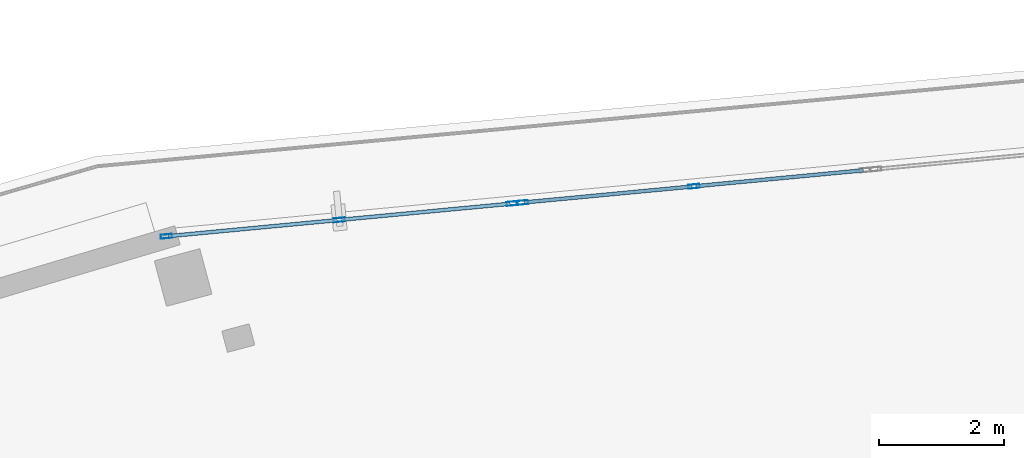
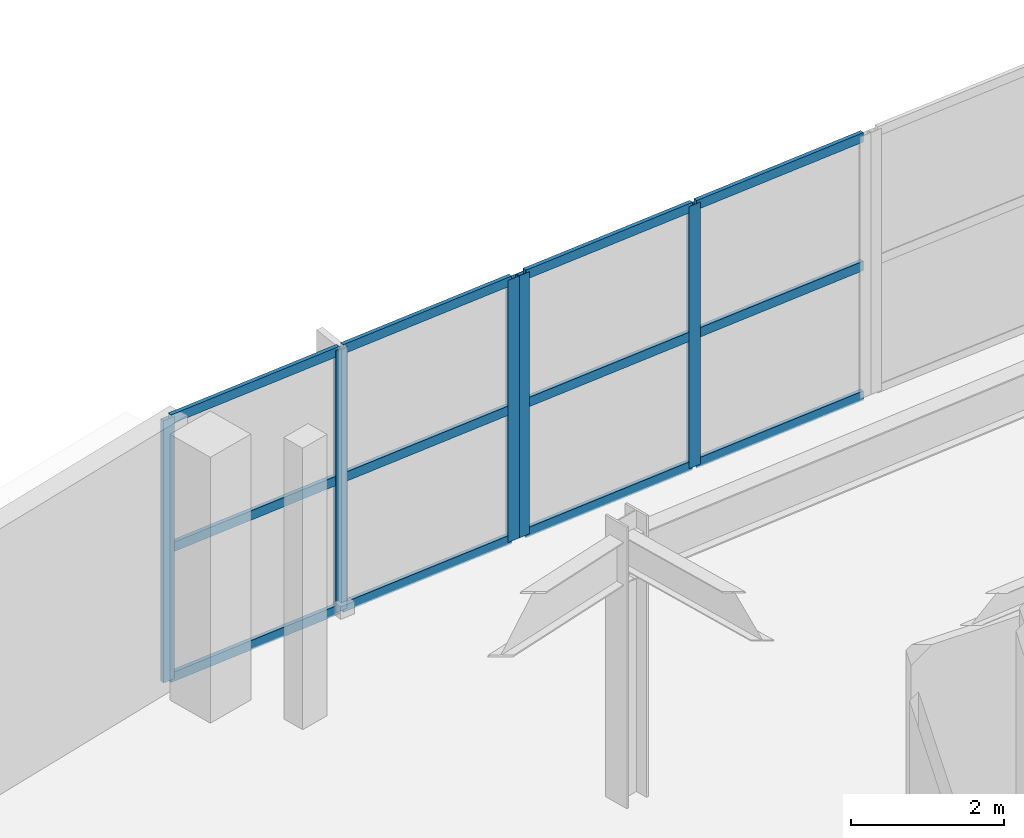
# One storey, part 34 of 107: 17 members, 2 elements without a shape of their own.
"""IFC4 building model written with IfcOpenShell, lengths in metres."""

from ifc_helpers import new_model, si_unit, direction, frame, origin, origin_2d, place, context, subcontext, project, spatial, hollow_rectangle, extrude, material, layer, layer_set, material_profile, profile_set, type_object, element, aggregate, save


model = new_model("IFC4")

# Units and contexts
model_context = context("Model", 3, precision=1e-05, world=origin(), true_north=direction((0.0, 1.0)))
body_context = subcontext(model_context, "Body", "Model", "MODEL_VIEW")
ifc_project = project(units=[si_unit("LENGTHUNIT", "METRE"), si_unit("AREAUNIT", "SQUARE_METRE"), si_unit("VOLUMEUNIT", "CUBIC_METRE"), si_unit("PLANEANGLEUNIT", "RADIAN"), si_unit("MASSUNIT", "GRAM", prefix="KILO")], contexts=[model_context])

# Site, building, storey
site_placement = place(None, origin())
site = spatial("IfcSite", under=ifc_project, at=site_placement, CompositionType="ELEMENT")
building_placement = place(site_placement, origin())
building = spatial("IfcBuilding", under=site, at=building_placement, Name="Kalgoora Escarpment Arena", CompositionType="ELEMENT")
storey_placement = place(building_placement, frame((0.0, 0.0, 5.39990234375)))
storey = spatial("IfcBuildingStorey", under=building, at=storey_placement, Name="L01", CompositionType="ELEMENT", Elevation=5.39990234375)

# Curtain wall, members
ifc_material_1 = material(Name=" Champagne anodised aluminium & double-glazed low-E", Category="aluminium")
ifc_layer_1 = layer(ifc_material_1, 0.157958984375)
ifc_layer_set_1 = layer_set([ifc_layer_1], Name="CW-UNIT-02")
curtain_wall_type_1 = type_object("IfcCurtainWallType", Name="CW-UNIT-02", PredefinedType="NOTDEFINED", material=ifc_layer_set_1)
curtain_wall_1_placement = place(storey_placement, origin())
curtain_wall_1 = element("IfcCurtainWall", 1, at=curtain_wall_1_placement, inside=storey, type_object=curtain_wall_type_1, Name="L01 unitised facade curtain wall 021", PredefinedType="NOTDEFINED")
ifc_material_2 = material(Name="Anodised aluminium 6063-T6", Category="aluminium")
ifc_material_profile_1 = material_profile(ifc_material_2, hollow_rectangle(XDim=0.06494140625, YDim=0.179931640625, WallThickness=0.00390625, at=origin_2d()))
ifc_profile_set_1 = profile_set([ifc_material_profile_1], Name="Anodised aluminium 6063-T6")
member_type_1 = type_object("IfcMemberType", Name="MEM-CW-MULL-180", PredefinedType="MULLION", material=ifc_profile_set_1)
member_1_placement = place(storey_placement, frame((69.92626953125, 124.3505859375, 0.02001953125), z_axis=(0.0, 0.0, 1.0), x_axis=(-0.094315664594, 0.99554234235, 0.0)))
member_1 = element("IfcMember", 2, at=member_1_placement, type_object=member_type_1, Name="CW-02 mullion 1", PredefinedType="MULLION", context=body_context, shape_type="SweptSolid", body=[
    extrude(hollow_rectangle(XDim=0.06494140625, YDim=0.179931640625, WallThickness=0.00390625, at=origin_2d()), origin(), (0.0, 0.0, 1.0), 4.190185546875),
])
member_2_placement = place(storey_placement, frame((72.683837890625, 124.61181640625, 0.02001953125), z_axis=(0.0, 0.0, 1.0), x_axis=(-0.094315664594, 0.99554234235, 0.0)))
member_2 = element("IfcMember", 3, at=member_2_placement, type_object=member_type_1, Name="CW-02 mullion 2", PredefinedType="MULLION", context=body_context, shape_type="SweptSolid", body=[
    extrude(hollow_rectangle(XDim=0.06494140625, YDim=0.179931640625, WallThickness=0.00390625, at=origin_2d()), origin(), (0.0, 0.0, 1.0), 4.190185546875),
])
member_3_placement = place(storey_placement, frame((75.441162109375, 124.873046875, 0.02001953125), z_axis=(0.0, 0.0, 1.0), x_axis=(-0.094315664594, 0.99554234235, 0.0)))
member_3 = element("IfcMember", 4, at=member_3_placement, type_object=member_type_1, Name="CW-02 mullion 3", PredefinedType="MULLION", context=body_context, shape_type="SweptSolid", body=[
    extrude(hollow_rectangle(XDim=0.06494140625, YDim=0.179931640625, WallThickness=0.00390625, at=origin_2d()), origin(), (0.0, 0.0, 1.0), 4.190185546875),
])

ifc_material_3 = material(Name=" Champagne anodised aluminium & double-glazed low-E", Category="aluminium")
ifc_layer_2 = layer(ifc_material_3, 0.162109375)
ifc_layer_set_2 = layer_set([ifc_layer_2], Name="CW-UNIT-03")
curtain_wall_type_2 = type_object("IfcCurtainWallType", Name="CW-UNIT-03", PredefinedType="NOTDEFINED", material=ifc_layer_set_2)
curtain_wall_2_placement = place(storey_placement, origin())
curtain_wall_2 = element("IfcCurtainWall", 5, at=curtain_wall_2_placement, inside=storey, type_object=curtain_wall_type_2, Name="L01 unitised facade curtain wall 022", PredefinedType="NOTDEFINED")
member_4_placement = place(storey_placement, frame((75.60546875, 124.888671875, 0.02001953125), z_axis=(0.0, 0.0, 1.0), x_axis=(-0.094301024516, 0.995543729213, 0.0)))
member_4 = element("IfcMember", 6, at=member_4_placement, type_object=member_type_1, Name="CW-03 mullion 1", PredefinedType="MULLION", context=body_context, shape_type="SweptSolid", body=[
    extrude(hollow_rectangle(XDim=0.06494140625, YDim=0.179931640625, WallThickness=0.00390625, at=origin_2d()), origin(), (0.0, 0.0, 1.0), 4.190185546875),
])
member_5_placement = place(storey_placement, frame((78.337890625, 125.1474609375, 0.02001953125), z_axis=(0.0, 0.0, 1.0), x_axis=(-0.094301024516, 0.995543729213, 0.0)))
member_5 = element("IfcMember", 7, at=member_5_placement, type_object=member_type_1, Name="CW-03 mullion 2", PredefinedType="MULLION", context=body_context, shape_type="SweptSolid", body=[
    extrude(hollow_rectangle(XDim=0.06494140625, YDim=0.179931640625, WallThickness=0.00390625, at=origin_2d()), origin(), (0.0, 0.0, 1.0), 4.190185546875),
])

# Member
ifc_material_4 = material(Name="Anodised aluminium 6063-T6", Category="aluminium")
ifc_material_profile_2 = material_profile(ifc_material_4, hollow_rectangle(XDim=0.06005859375, YDim=0.14990234375, WallThickness=0.00341796875, at=origin_2d()))
ifc_profile_set_2 = profile_set([ifc_material_profile_2], Name="Anodised aluminium 6063-T6")
member_type_2 = type_object("IfcMemberType", Name="MEM-CW-TRAN-150", PredefinedType="USERDEFINED", material=ifc_profile_set_2)
member_6_placement = place(storey_placement, frame((69.958740234375, 124.353515625, 0.050048828125), z_axis=(0.995541199062, 0.094327731709, 0.0), x_axis=(-0.094327731709, 0.995541199062, 0.0)))
member_6 = element("IfcMember", 8, at=member_6_placement, type_object=member_type_2, Name="CW-02 transom 1.1", ObjectType="TRANSOM", PredefinedType="USERDEFINED", context=body_context, shape_type="SweptSolid", body=[
    extrude(hollow_rectangle(XDim=0.06005859375, YDim=0.14990234375, WallThickness=0.00341796875, at=origin_2d()), origin(), (0.0, 0.0, 1.0), 2.70458984375),
])

member_7_placement = place(storey_placement, frame((69.958740234375, 124.353515625, 2.125), z_axis=(0.995541199062, 0.094327731709, 0.0), x_axis=(-0.094327731709, 0.995541199062, 0.0)))
member_7 = element("IfcMember", 9, at=member_7_placement, type_object=member_type_2, Name="CW-02 transom 1.2", ObjectType="TRANSOM", PredefinedType="USERDEFINED", context=body_context, shape_type="SweptSolid", body=[
    extrude(hollow_rectangle(XDim=0.06005859375, YDim=0.14990234375, WallThickness=0.00341796875, at=origin_2d()), origin(), (0.0, 0.0, 1.0), 2.70458984375),
])

member_8_placement = place(storey_placement, frame((69.958740234375, 124.353515625, 4.18017578125), z_axis=(0.995541199062, 0.094327731709, 0.0), x_axis=(-0.094327731709, 0.995541199062, 0.0)))
member_8 = element("IfcMember", 10, at=member_8_placement, type_object=member_type_2, Name="CW-02 transom 1.3", ObjectType="TRANSOM", PredefinedType="USERDEFINED", context=body_context, shape_type="SweptSolid", body=[
    extrude(hollow_rectangle(XDim=0.06005859375, YDim=0.14990234375, WallThickness=0.00341796875, at=origin_2d()), origin(), (0.0, 0.0, 1.0), 2.70458984375),
])

member_9_placement = place(storey_placement, frame((72.716064453125, 124.61474609375, 0.050048828125), z_axis=(0.995542002114, 0.094319255867, 0.0), x_axis=(-0.094319255867, 0.995542002114, 0.0)))
member_9 = element("IfcMember", 11, at=member_9_placement, type_object=member_type_2, Name="CW-02 transom 2.1", ObjectType="TRANSOM", PredefinedType="USERDEFINED", context=body_context, shape_type="SweptSolid", body=[
    extrude(hollow_rectangle(XDim=0.06005859375, YDim=0.14990234375, WallThickness=0.00341796875, at=origin_2d()), origin(), (0.0, 0.0, 1.0), 2.704833984375),
])

member_10_placement = place(storey_placement, frame((72.716064453125, 124.61474609375, 2.125), z_axis=(0.995542002114, 0.094319255867, 0.0), x_axis=(-0.094319255867, 0.995542002114, 0.0)))
member_10 = element("IfcMember", 12, at=member_10_placement, type_object=member_type_2, Name="CW-02 transom 2.2", ObjectType="TRANSOM", PredefinedType="USERDEFINED", context=body_context, shape_type="SweptSolid", body=[
    extrude(hollow_rectangle(XDim=0.06005859375, YDim=0.14990234375, WallThickness=0.00341796875, at=origin_2d()), origin(), (0.0, 0.0, 1.0), 2.704833984375),
])

member_11_placement = place(storey_placement, frame((72.716064453125, 124.61474609375, 4.18017578125), z_axis=(0.995542002114, 0.094319255867, 0.0), x_axis=(-0.094319255867, 0.995542002114, 0.0)))
member_11 = element("IfcMember", 13, at=member_11_placement, type_object=member_type_2, Name="CW-02 transom 2.3", ObjectType="TRANSOM", PredefinedType="USERDEFINED", context=body_context, shape_type="SweptSolid", body=[
    extrude(hollow_rectangle(XDim=0.06005859375, YDim=0.14990234375, WallThickness=0.00341796875, at=origin_2d()), origin(), (0.0, 0.0, 1.0), 2.704833984375),
])

aggregate(curtain_wall_1, [member_1, member_2, member_3, member_6, member_7, member_8, member_9, member_10, member_11])

member_12_placement = place(storey_placement, frame((75.6376953125, 124.8916015625, 0.050048828125), z_axis=(0.995544878907, 0.094288886317, 0.0), x_axis=(-0.094288886317, 0.995544878907, 0.0)))
member_12 = element("IfcMember", 14, at=member_12_placement, type_object=member_type_2, Name="CW-03 transom 1.1", ObjectType="TRANSOM", PredefinedType="USERDEFINED", context=body_context, shape_type="SweptSolid", body=[
    extrude(hollow_rectangle(XDim=0.06005859375, YDim=0.14990234375, WallThickness=0.00341796875, at=origin_2d()), origin(), (0.0, 0.0, 1.0), 2.679931640625),
])

member_13_placement = place(storey_placement, frame((75.6376953125, 124.8916015625, 2.125), z_axis=(0.995544878907, 0.094288886317, 0.0), x_axis=(-0.094288886317, 0.995544878907, 0.0)))
member_13 = element("IfcMember", 15, at=member_13_placement, type_object=member_type_2, Name="CW-03 transom 1.2", ObjectType="TRANSOM", PredefinedType="USERDEFINED", context=body_context, shape_type="SweptSolid", body=[
    extrude(hollow_rectangle(XDim=0.06005859375, YDim=0.14990234375, WallThickness=0.00341796875, at=origin_2d()), origin(), (0.0, 0.0, 1.0), 2.679931640625),
])

member_14_placement = place(storey_placement, frame((75.6376953125, 124.8916015625, 4.18017578125), z_axis=(0.995544878907, 0.094288886317, 0.0), x_axis=(-0.094288886317, 0.995544878907, 0.0)))
member_14 = element("IfcMember", 16, at=member_14_placement, type_object=member_type_2, Name="CW-03 transom 1.3", ObjectType="TRANSOM", PredefinedType="USERDEFINED", context=body_context, shape_type="SweptSolid", body=[
    extrude(hollow_rectangle(XDim=0.06005859375, YDim=0.14990234375, WallThickness=0.00341796875, at=origin_2d()), origin(), (0.0, 0.0, 1.0), 2.679931640625),
])

member_15_placement = place(storey_placement, frame((78.370361328125, 125.150390625, 0.050048828125), z_axis=(0.995544068878, 0.094297438573, 0.0), x_axis=(-0.094297438573, 0.995544068878, 0.0)))
member_15 = element("IfcMember", 17, at=member_15_placement, type_object=member_type_2, Name="CW-03 transom 2.1", ObjectType="TRANSOM", PredefinedType="USERDEFINED", context=body_context, shape_type="SweptSolid", body=[
    extrude(hollow_rectangle(XDim=0.06005859375, YDim=0.14990234375, WallThickness=0.00341796875, at=origin_2d()), origin(), (0.0, 0.0, 1.0), 2.6796875),
])

member_16_placement = place(storey_placement, frame((78.370361328125, 125.150390625, 2.125), z_axis=(0.995544068878, 0.094297438573, 0.0), x_axis=(-0.094297438573, 0.995544068878, 0.0)))
member_16 = element("IfcMember", 18, at=member_16_placement, type_object=member_type_2, Name="CW-03 transom 2.2", ObjectType="TRANSOM", PredefinedType="USERDEFINED", context=body_context, shape_type="SweptSolid", body=[
    extrude(hollow_rectangle(XDim=0.06005859375, YDim=0.14990234375, WallThickness=0.00341796875, at=origin_2d()), origin(), (0.0, 0.0, 1.0), 2.6796875),
])

member_17_placement = place(storey_placement, frame((78.370361328125, 125.150390625, 4.18017578125), z_axis=(0.995544068878, 0.094297438573, 0.0), x_axis=(-0.094297438573, 0.995544068878, 0.0)))
member_17 = element("IfcMember", 19, at=member_17_placement, type_object=member_type_2, Name="CW-03 transom 2.3", ObjectType="TRANSOM", PredefinedType="USERDEFINED", context=body_context, shape_type="SweptSolid", body=[
    extrude(hollow_rectangle(XDim=0.06005859375, YDim=0.14990234375, WallThickness=0.00341796875, at=origin_2d()), origin(), (0.0, 0.0, 1.0), 2.6796875),
])

aggregate(curtain_wall_2, [member_4, member_5, member_12, member_13, member_14, member_15, member_16, member_17])

save(model, "model.ifc")
